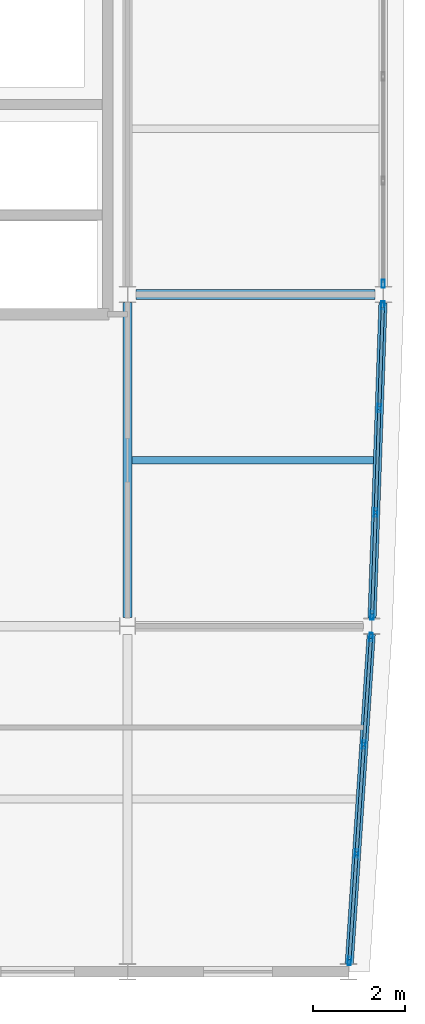
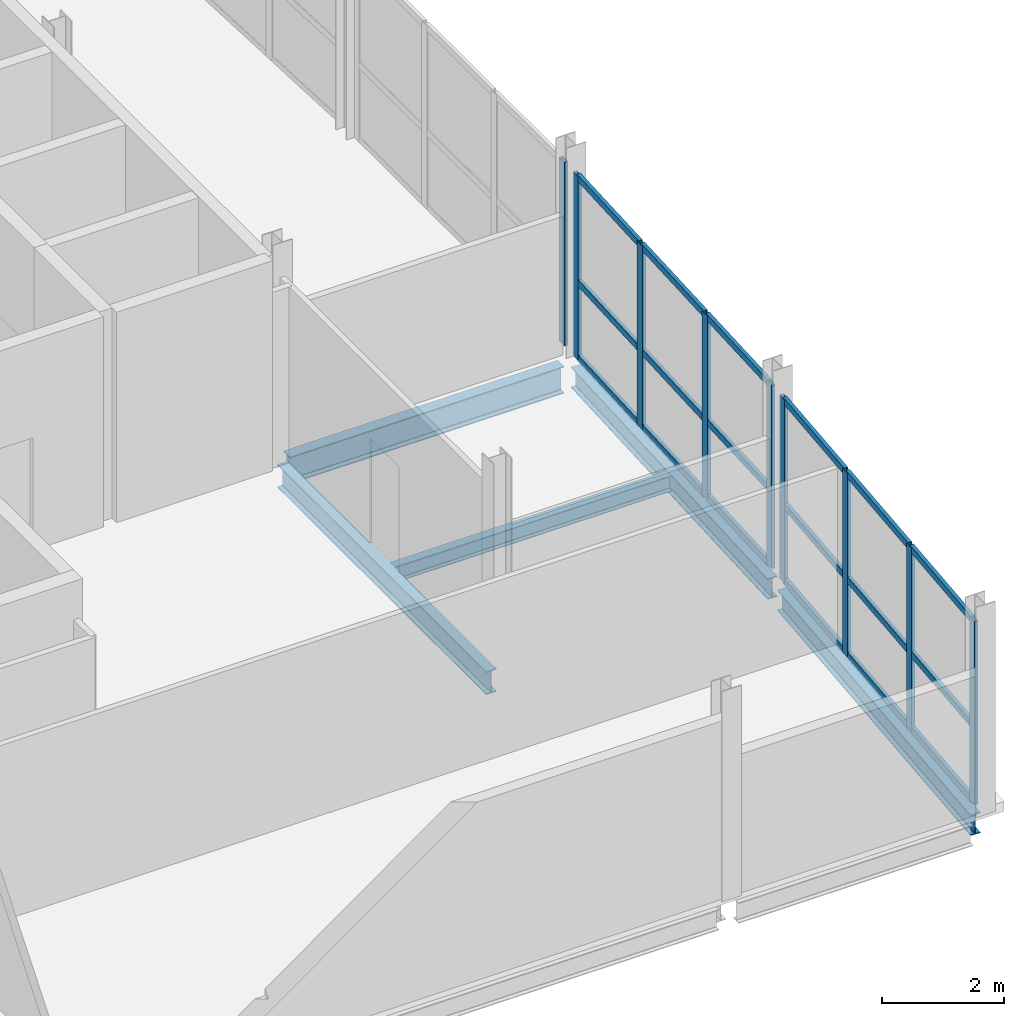
# One storey, part 2 of 17: 27 members, 5 beams, 3 elements without a shape of their own.
"""IFC4 building model written with IfcOpenShell, lengths in metres."""

from ifc_helpers import new_model, si_unit, direction, frame, origin, origin_2d, place, context, subcontext, project, spatial, hollow_rectangle, i_section, extrude, material, layer, layer_set, material_profile, profile_set, type_object, element, aggregate, save


model = new_model("IFC4")

# Units and contexts
model_context = context("Model", 3, precision=1e-05, world=origin(), true_north=direction((0.0, 1.0)))
body_context = subcontext(model_context, "Body", "Model", "MODEL_VIEW")
ifc_project = project(units=[si_unit("LENGTHUNIT", "METRE"), si_unit("AREAUNIT", "SQUARE_METRE"), si_unit("VOLUMEUNIT", "CUBIC_METRE"), si_unit("PLANEANGLEUNIT", "RADIAN"), si_unit("MASSUNIT", "GRAM", prefix="KILO")], contexts=[model_context])

# Site, building, storey
site_placement = place(None, origin())
site = spatial("IfcSite", under=ifc_project, at=site_placement, CompositionType="ELEMENT")
building_placement = place(site_placement, origin())
building = spatial("IfcBuilding", under=site, at=building_placement, Name="Quillay Park Conservatory", CompositionType="ELEMENT")
storey_placement = place(building_placement, frame((0.0, 0.0, 56.10009765625)))
storey = spatial("IfcBuildingStorey", under=building, at=storey_placement, Name="L13", CompositionType="ELEMENT", Elevation=56.10009765625)

# Beam
ifc_material_1 = material(Name="Steel ASTM A992 Grade 50", Category="steel")
ifc_material_profile_1 = material_profile(ifc_material_1, i_section(OverallWidth=0.166015625, OverallDepth=0.31298828125, WebThickness=0.006591796875, FlangeThickness=0.01123046875, FilletRadius=0.010009765625, at=origin_2d()), Name="W310x45")
ifc_profile_set_1 = profile_set([ifc_material_profile_1], Name="Steel ASTM A992 Grade 50")
beam_type_1 = type_object("IfcBeamType", Name="COMPOSITE FLOOR JOIST W310 X45", PredefinedType="JOIST", material=ifc_profile_set_1)
beam_1_placement = place(storey_placement, frame((19.845947265625, 81.60009765625, -0.356689453125), z_axis=(1.0, 0.0, 0.0), x_axis=(0.0, 1.0, 0.0)))
element("IfcBeam", 1, at=beam_1_placement, inside=storey, type_object=beam_type_1, Name="L13 beam BM-J-0915", PredefinedType="JOIST", context=body_context, shape_type="SweptSolid", body=[
    extrude(i_section(OverallWidth=0.166015625, OverallDepth=0.31298828125, WebThickness=0.006591796875, FlangeThickness=0.01123046875, FilletRadius=0.010009765625, at=origin_2d()), origin(), (0.0, 0.0, 1.0), 5.239013671875),
])

# Curtain wall, members
ifc_material_2 = material(Name="Thermally Broken Anodised Aluminium 6063-T6", Category="aluminium")
ifc_layer = layer(ifc_material_2, 0.179931640625)
ifc_layer_set = layer_set([ifc_layer], Name="UNITISED CURTAIN WALL TOWER (Thermally Broken Anodised Aluminium 6063-T6)")
curtain_wall_type = type_object("IfcCurtainWallType", Name="UNITISED CURTAIN WALL TOWER", PredefinedType="USERDEFINED", material=ifc_layer_set)
curtain_wall_1_placement = place(storey_placement, origin())
curtain_wall_1 = element("IfcCurtainWall", 2, at=curtain_wall_1_placement, inside=storey, type_object=curtain_wall_type, Name="L13 Unitised Curtain Wall 122", ObjectType="UNITISED CURTAIN WALL", PredefinedType="USERDEFINED")
ifc_material_3 = material(Name="Thermally Broken Anodised Aluminium 6063-T6", Category="aluminium")
ifc_material_profile_2 = material_profile(ifc_material_3, hollow_rectangle(XDim=0.070068359375, YDim=0.179931640625, WallThickness=0.00390625, at=origin_2d()), Name="AL70x180x4")
ifc_profile_set_2 = profile_set([ifc_material_profile_2], Name="Thermally Broken Anodised Aluminium 6063-T6")
member_type_1 = type_object("IfcMemberType", Name="CURTAIN WALL MULLION 70 X180", PredefinedType="MULLION", material=ifc_profile_set_2)
member_1_placement = place(storey_placement, frame((25.034423828125, 77.765380859375, 0.0), z_axis=(0.0, 0.0, 1.0), x_axis=(0.997785033503, -0.0665208758, 0.0)))
member_1 = element("IfcMember", 3, at=member_1_placement, type_object=member_type_1, Name="CW-T1 mullion 1", PredefinedType="MULLION", context=body_context, shape_type="SweptSolid", body=[
    extrude(hollow_rectangle(XDim=0.070068359375, YDim=0.179931640625, WallThickness=0.00390625, at=origin_2d()), origin(), (0.0, 0.0, 1.0), 3.6669921875),
])
member_2_placement = place(storey_placement, frame((24.87890625, 75.433349609375, 0.0), z_axis=(0.0, 0.0, 1.0), x_axis=(0.997785033503, -0.0665208758, 0.0)))
member_2 = element("IfcMember", 4, at=member_2_placement, type_object=member_type_1, Name="CW-T1 mullion 2", PredefinedType="MULLION", context=body_context, shape_type="SweptSolid", body=[
    extrude(hollow_rectangle(XDim=0.070068359375, YDim=0.179931640625, WallThickness=0.00390625, at=origin_2d()), origin(), (0.0, 0.0, 1.0), 3.6669921875),
])
member_3_placement = place(storey_placement, frame((24.72119140625, 73.066650390625, 0.0), z_axis=(0.0, 0.0, 1.0), x_axis=(0.997785033503, -0.0665208758, 0.0)))
member_3 = element("IfcMember", 5, at=member_3_placement, type_object=member_type_1, Name="CW-T1 mullion 3", PredefinedType="MULLION", context=body_context, shape_type="SweptSolid", body=[
    extrude(hollow_rectangle(XDim=0.070068359375, YDim=0.179931640625, WallThickness=0.00390625, at=origin_2d()), origin(), (0.0, 0.0, 1.0), 3.6669921875),
])
member_4_placement = place(storey_placement, frame((24.565673828125, 70.734619140625, 0.0), z_axis=(0.0, 0.0, 1.0), x_axis=(0.997785033503, -0.0665208758, 0.0)))
member_4 = element("IfcMember", 6, at=member_4_placement, type_object=member_type_1, Name="CW-T1 mullion 4", PredefinedType="MULLION", context=body_context, shape_type="SweptSolid", body=[
    extrude(hollow_rectangle(XDim=0.070068359375, YDim=0.179931640625, WallThickness=0.00390625, at=origin_2d()), origin(), (0.0, 0.0, 1.0), 3.6669921875),
])

curtain_wall_2_placement = place(storey_placement, origin())
curtain_wall_2 = element("IfcCurtainWall", 7, at=curtain_wall_2_placement, inside=storey, type_object=curtain_wall_type, Name="L13 Unitised Curtain Wall 123", ObjectType="UNITISED CURTAIN WALL", PredefinedType="USERDEFINED")
member_5_placement = place(storey_placement, frame((25.2919921875, 84.965087890625, 0.0), z_axis=(0.0, 0.0, 1.0), x_axis=(0.999397310446, -0.034713338537, 0.0)))
member_5 = element("IfcMember", 8, at=member_5_placement, type_object=member_type_1, Name="CW-T1 mullion 1", PredefinedType="MULLION", context=body_context, shape_type="SweptSolid", body=[
    extrude(hollow_rectangle(XDim=0.070068359375, YDim=0.179931640625, WallThickness=0.00390625, at=origin_2d()), origin(), (0.0, 0.0, 1.0), 3.6669921875),
])
member_6_placement = place(storey_placement, frame((25.21435546875, 82.7333984375, 0.0), z_axis=(0.0, 0.0, 1.0), x_axis=(0.999397310446, -0.034713338537, 0.0)))
member_6 = element("IfcMember", 9, at=member_6_placement, type_object=member_type_1, Name="CW-T1 mullion 2", PredefinedType="MULLION", context=body_context, shape_type="SweptSolid", body=[
    extrude(hollow_rectangle(XDim=0.070068359375, YDim=0.179931640625, WallThickness=0.00390625, at=origin_2d()), origin(), (0.0, 0.0, 1.0), 3.6669921875),
])
member_7_placement = place(storey_placement, frame((25.1357421875, 80.466552734375, 0.0), z_axis=(0.0, 0.0, 1.0), x_axis=(0.999397310446, -0.034713338537, 0.0)))
member_7 = element("IfcMember", 10, at=member_7_placement, type_object=member_type_1, Name="CW-T1 mullion 3", PredefinedType="MULLION", context=body_context, shape_type="SweptSolid", body=[
    extrude(hollow_rectangle(XDim=0.070068359375, YDim=0.179931640625, WallThickness=0.00390625, at=origin_2d()), origin(), (0.0, 0.0, 1.0), 3.6669921875),
])
member_8_placement = place(storey_placement, frame((25.05810546875, 78.23486328125, 0.0), z_axis=(0.0, 0.0, 1.0), x_axis=(0.999397310446, -0.034713338537, 0.0)))
member_8 = element("IfcMember", 11, at=member_8_placement, type_object=member_type_1, Name="CW-T1 mullion 4", PredefinedType="MULLION", context=body_context, shape_type="SweptSolid", body=[
    extrude(hollow_rectangle(XDim=0.070068359375, YDim=0.179931640625, WallThickness=0.00390625, at=origin_2d()), origin(), (0.0, 0.0, 1.0), 3.6669921875),
])

# Curtain wall, member
curtain_wall_3_placement = place(storey_placement, origin())
curtain_wall_3 = element("IfcCurtainWall", 12, at=curtain_wall_3_placement, inside=storey, type_object=curtain_wall_type, Name="L13 Unitised Curtain Wall 124", ObjectType="UNITISED CURTAIN WALL", PredefinedType="USERDEFINED")
member_9_placement = place(storey_placement, frame((25.300048828125, 85.43505859375, 0.0), z_axis=(0.0, 0.0, 1.0), x_axis=(1.0, 0.0, 0.0)))
member_9 = element("IfcMember", 13, at=member_9_placement, type_object=member_type_1, Name="CW-T1 mullion 4", PredefinedType="MULLION", context=body_context, shape_type="SweptSolid", body=[
    extrude(hollow_rectangle(XDim=0.070068359375, YDim=0.179931640625, WallThickness=0.00390625, at=origin_2d()), origin(), (0.0, 0.0, 1.0), 3.6669921875),
])
aggregate(curtain_wall_3, [member_9])

# Member
ifc_material_4 = material(Name="Thermally Broken Anodised Aluminium 6063-T6", Category="aluminium")
ifc_material_profile_3 = material_profile(ifc_material_4, hollow_rectangle(XDim=0.070068359375, YDim=0.1298828125, WallThickness=0.003173828125, at=origin_2d()), Name="AL70x130x3.2")
ifc_profile_set_3 = profile_set([ifc_material_profile_3], Name="Thermally Broken Anodised Aluminium 6063-T6")
member_type_2 = type_object("IfcMemberType", Name="CURTAIN WALL TRANSOM 70 X130", PredefinedType="USERDEFINED", material=ifc_profile_set_3)
member_10_placement = place(storey_placement, frame((25.031982421875, 77.73046875, 0.034912109375), z_axis=(-0.066447531676, -0.997789920542, 0.0), x_axis=(0.997789920542, -0.066447531676, 0.0)))
member_10 = element("IfcMember", 14, at=member_10_placement, type_object=member_type_2, Name="CW-T1 transom 1.1", ObjectType="TRANSOM", PredefinedType="USERDEFINED", context=body_context, shape_type="SweptSolid", body=[
    extrude(hollow_rectangle(XDim=0.070068359375, YDim=0.1298828125, WallThickness=0.003173828125, at=origin_2d()), origin(), (0.0, 0.0, 1.0), 2.26708984375),
])

member_11_placement = place(storey_placement, frame((25.031982421875, 77.73046875, 1.5400390625), z_axis=(-0.066447531676, -0.997789920542, 0.0), x_axis=(0.997789920542, -0.066447531676, 0.0)))
member_11 = element("IfcMember", 15, at=member_11_placement, type_object=member_type_2, Name="CW-T1 transom 1.2", ObjectType="TRANSOM", PredefinedType="USERDEFINED", context=body_context, shape_type="SweptSolid", body=[
    extrude(hollow_rectangle(XDim=0.070068359375, YDim=0.1298828125, WallThickness=0.003173828125, at=origin_2d()), origin(), (0.0, 0.0, 1.0), 2.26708984375),
])

member_12_placement = place(storey_placement, frame((25.031982421875, 77.73046875, 3.6318359375), z_axis=(-0.066447531676, -0.997789920542, 0.0), x_axis=(0.997789920542, -0.066447531676, 0.0)))
member_12 = element("IfcMember", 16, at=member_12_placement, type_object=member_type_2, Name="CW-T1 transom 1.3", ObjectType="TRANSOM", PredefinedType="USERDEFINED", context=body_context, shape_type="SweptSolid", body=[
    extrude(hollow_rectangle(XDim=0.070068359375, YDim=0.1298828125, WallThickness=0.003173828125, at=origin_2d()), origin(), (0.0, 0.0, 1.0), 2.26708984375),
])

member_13_placement = place(storey_placement, frame((24.87646484375, 75.3984375, 0.034912109375), z_axis=(-0.066497892916, -0.997786565473, 0.0), x_axis=(0.997786565473, -0.066497892916, 0.0)))
member_13 = element("IfcMember", 17, at=member_13_placement, type_object=member_type_2, Name="CW-T1 transom 2.1", ObjectType="TRANSOM", PredefinedType="USERDEFINED", context=body_context, shape_type="SweptSolid", body=[
    extrude(hollow_rectangle(XDim=0.070068359375, YDim=0.1298828125, WallThickness=0.003173828125, at=origin_2d()), origin(), (0.0, 0.0, 1.0), 2.302001953125),
])

member_14_placement = place(storey_placement, frame((24.87646484375, 75.3984375, 1.5400390625), z_axis=(-0.066497892916, -0.997786565473, 0.0), x_axis=(0.997786565473, -0.066497892916, 0.0)))
member_14 = element("IfcMember", 18, at=member_14_placement, type_object=member_type_2, Name="CW-T1 transom 2.2", ObjectType="TRANSOM", PredefinedType="USERDEFINED", context=body_context, shape_type="SweptSolid", body=[
    extrude(hollow_rectangle(XDim=0.070068359375, YDim=0.1298828125, WallThickness=0.003173828125, at=origin_2d()), origin(), (0.0, 0.0, 1.0), 2.302001953125),
])

member_15_placement = place(storey_placement, frame((24.87646484375, 75.3984375, 3.6318359375), z_axis=(-0.066497892916, -0.997786565473, 0.0), x_axis=(0.997786565473, -0.066497892916, 0.0)))
member_15 = element("IfcMember", 19, at=member_15_placement, type_object=member_type_2, Name="CW-T1 transom 2.3", ObjectType="TRANSOM", PredefinedType="USERDEFINED", context=body_context, shape_type="SweptSolid", body=[
    extrude(hollow_rectangle(XDim=0.070068359375, YDim=0.1298828125, WallThickness=0.003173828125, at=origin_2d()), origin(), (0.0, 0.0, 1.0), 2.302001953125),
])

member_16_placement = place(storey_placement, frame((24.71875, 73.031494140625, 0.034912109375), z_axis=(-0.066554749564, -0.997782774611, 0.0), x_axis=(0.997782774611, -0.066554749564, 0.0)))
member_16 = element("IfcMember", 20, at=member_16_placement, type_object=member_type_2, Name="CW-T1 transom 3.1", ObjectType="TRANSOM", PredefinedType="USERDEFINED", context=body_context, shape_type="SweptSolid", body=[
    extrude(hollow_rectangle(XDim=0.070068359375, YDim=0.1298828125, WallThickness=0.003173828125, at=origin_2d()), origin(), (0.0, 0.0, 1.0), 2.26708984375),
])

member_17_placement = place(storey_placement, frame((24.71875, 73.031494140625, 1.5400390625), z_axis=(-0.066554749564, -0.997782774611, 0.0), x_axis=(0.997782774611, -0.066554749564, 0.0)))
member_17 = element("IfcMember", 21, at=member_17_placement, type_object=member_type_2, Name="CW-T1 transom 3.2", ObjectType="TRANSOM", PredefinedType="USERDEFINED", context=body_context, shape_type="SweptSolid", body=[
    extrude(hollow_rectangle(XDim=0.070068359375, YDim=0.1298828125, WallThickness=0.003173828125, at=origin_2d()), origin(), (0.0, 0.0, 1.0), 2.26708984375),
])

member_18_placement = place(storey_placement, frame((24.71875, 73.031494140625, 3.6318359375), z_axis=(-0.066554749564, -0.997782774611, 0.0), x_axis=(0.997782774611, -0.066554749564, 0.0)))
member_18 = element("IfcMember", 22, at=member_18_placement, type_object=member_type_2, Name="CW-T1 transom 3.3", ObjectType="TRANSOM", PredefinedType="USERDEFINED", context=body_context, shape_type="SweptSolid", body=[
    extrude(hollow_rectangle(XDim=0.070068359375, YDim=0.1298828125, WallThickness=0.003173828125, at=origin_2d()), origin(), (0.0, 0.0, 1.0), 2.26708984375),
])

aggregate(curtain_wall_1, [member_1, member_2, member_3, member_4, member_10, member_11, member_12, member_13, member_14, member_15, member_16, member_17, member_18])

member_19_placement = place(storey_placement, frame((25.290771484375, 84.93017578125, 0.034912109375), z_axis=(-0.034761587249, -0.999395633396, 0.0), x_axis=(0.999395633396, -0.034761587249, 0.0)))
member_19 = element("IfcMember", 23, at=member_19_placement, type_object=member_type_2, Name="CW-T1 transom 1.1", ObjectType="TRANSOM", PredefinedType="USERDEFINED", context=body_context, shape_type="SweptSolid", body=[
    extrude(hollow_rectangle(XDim=0.070068359375, YDim=0.1298828125, WallThickness=0.003173828125, at=origin_2d()), origin(), (0.0, 0.0, 1.0), 2.1630859375),
])

member_20_placement = place(storey_placement, frame((25.290771484375, 84.93017578125, 1.5400390625), z_axis=(-0.034761587249, -0.999395633396, 0.0), x_axis=(0.999395633396, -0.034761587249, 0.0)))
member_20 = element("IfcMember", 24, at=member_20_placement, type_object=member_type_2, Name="CW-T1 transom 1.2", ObjectType="TRANSOM", PredefinedType="USERDEFINED", context=body_context, shape_type="SweptSolid", body=[
    extrude(hollow_rectangle(XDim=0.070068359375, YDim=0.1298828125, WallThickness=0.003173828125, at=origin_2d()), origin(), (0.0, 0.0, 1.0), 2.1630859375),
])

member_21_placement = place(storey_placement, frame((25.290771484375, 84.93017578125, 3.6318359375), z_axis=(-0.034761587249, -0.999395633396, 0.0), x_axis=(0.999395633396, -0.034761587249, 0.0)))
member_21 = element("IfcMember", 25, at=member_21_placement, type_object=member_type_2, Name="CW-T1 transom 1.3", ObjectType="TRANSOM", PredefinedType="USERDEFINED", context=body_context, shape_type="SweptSolid", body=[
    extrude(hollow_rectangle(XDim=0.070068359375, YDim=0.1298828125, WallThickness=0.003173828125, at=origin_2d()), origin(), (0.0, 0.0, 1.0), 2.1630859375),
])

member_22_placement = place(storey_placement, frame((25.213134765625, 82.698486328125, 0.034912109375), z_axis=(-0.034653546152, -0.999399385501, 0.0), x_axis=(0.999399385501, -0.034653546152, 0.0)))
member_22 = element("IfcMember", 26, at=member_22_placement, type_object=member_type_2, Name="CW-T1 transom 2.1", ObjectType="TRANSOM", PredefinedType="USERDEFINED", context=body_context, shape_type="SweptSolid", body=[
    extrude(hollow_rectangle(XDim=0.070068359375, YDim=0.1298828125, WallThickness=0.003173828125, at=origin_2d()), origin(), (0.0, 0.0, 1.0), 2.197998046875),
])

member_23_placement = place(storey_placement, frame((25.213134765625, 82.698486328125, 1.5400390625), z_axis=(-0.034653546152, -0.999399385501, 0.0), x_axis=(0.999399385501, -0.034653546152, 0.0)))
member_23 = element("IfcMember", 27, at=member_23_placement, type_object=member_type_2, Name="CW-T1 transom 2.2", ObjectType="TRANSOM", PredefinedType="USERDEFINED", context=body_context, shape_type="SweptSolid", body=[
    extrude(hollow_rectangle(XDim=0.070068359375, YDim=0.1298828125, WallThickness=0.003173828125, at=origin_2d()), origin(), (0.0, 0.0, 1.0), 2.197998046875),
])

member_24_placement = place(storey_placement, frame((25.213134765625, 82.698486328125, 3.6318359375), z_axis=(-0.034653546152, -0.999399385501, 0.0), x_axis=(0.999399385501, -0.034653546152, 0.0)))
member_24 = element("IfcMember", 28, at=member_24_placement, type_object=member_type_2, Name="CW-T1 transom 2.3", ObjectType="TRANSOM", PredefinedType="USERDEFINED", context=body_context, shape_type="SweptSolid", body=[
    extrude(hollow_rectangle(XDim=0.070068359375, YDim=0.1298828125, WallThickness=0.003173828125, at=origin_2d()), origin(), (0.0, 0.0, 1.0), 2.197998046875),
])

member_25_placement = place(storey_placement, frame((25.134521484375, 80.431640625, 0.034912109375), z_axis=(-0.034761587249, -0.999395633396, 0.0), x_axis=(0.999395633396, -0.034761587249, 0.0)))
member_25 = element("IfcMember", 29, at=member_25_placement, type_object=member_type_2, Name="CW-T1 transom 3.1", ObjectType="TRANSOM", PredefinedType="USERDEFINED", context=body_context, shape_type="SweptSolid", body=[
    extrude(hollow_rectangle(XDim=0.070068359375, YDim=0.1298828125, WallThickness=0.003173828125, at=origin_2d()), origin(), (0.0, 0.0, 1.0), 2.1630859375),
])

member_26_placement = place(storey_placement, frame((25.134521484375, 80.431640625, 1.5400390625), z_axis=(-0.034761587249, -0.999395633396, 0.0), x_axis=(0.999395633396, -0.034761587249, 0.0)))
member_26 = element("IfcMember", 30, at=member_26_placement, type_object=member_type_2, Name="CW-T1 transom 3.2", ObjectType="TRANSOM", PredefinedType="USERDEFINED", context=body_context, shape_type="SweptSolid", body=[
    extrude(hollow_rectangle(XDim=0.070068359375, YDim=0.1298828125, WallThickness=0.003173828125, at=origin_2d()), origin(), (0.0, 0.0, 1.0), 2.1630859375),
])

member_27_placement = place(storey_placement, frame((25.134521484375, 80.431640625, 3.6318359375), z_axis=(-0.034761587249, -0.999395633396, 0.0), x_axis=(0.999395633396, -0.034761587249, 0.0)))
member_27 = element("IfcMember", 31, at=member_27_placement, type_object=member_type_2, Name="CW-T1 transom 3.3", ObjectType="TRANSOM", PredefinedType="USERDEFINED", context=body_context, shape_type="SweptSolid", body=[
    extrude(hollow_rectangle(XDim=0.070068359375, YDim=0.1298828125, WallThickness=0.003173828125, at=origin_2d()), origin(), (0.0, 0.0, 1.0), 2.1630859375),
])

aggregate(curtain_wall_2, [member_5, member_6, member_7, member_8, member_19, member_20, member_21, member_22, member_23, member_24, member_25, member_26, member_27])

# Beams
ifc_material_5 = material(Name="Steel ASTM A992 Grade 50", Category="steel")
ifc_material_profile_4 = material_profile(ifc_material_5, i_section(OverallWidth=0.179931640625, OverallDepth=0.4130859375, WebThickness=0.009765625, FlangeThickness=0.01611328125, FilletRadius=0.011962890625, at=origin_2d()), Name="W410x74")
ifc_profile_set_4 = profile_set([ifc_material_profile_4], Name="Steel ASTM A992 Grade 50")
beam_type_2 = type_object("IfcBeamType", Name="PERIMETER SPANDREL BEAM W410 X74", PredefinedType="SPANDREL", material=ifc_profile_set_4)
beam_2_placement = place(storey_placement, frame((24.561767578125, 70.677490234375, -0.406494140625), z_axis=(0.066516747669, 0.997785308711, 0.0), x_axis=(-0.997785308711, 0.066516747669, 0.0)))
element("IfcBeam", 32, at=beam_2_placement, inside=storey, type_object=beam_type_2, Name="L13 beam BM-SPE-0904", PredefinedType="SPANDREL", context=body_context, shape_type="SweptSolid", body=[
    extrude(i_section(OverallWidth=0.179931640625, OverallDepth=0.4130859375, WebThickness=0.009765625, FlangeThickness=0.01611328125, FilletRadius=0.011962890625, at=origin_2d()), origin(), (0.0, 0.0, 1.0), 7.160888671875),
])
beam_3_placement = place(storey_placement, frame((25.05615234375, 78.177978515625, -0.406494140625), z_axis=(0.034686968465, 0.999398226043, 0.0), x_axis=(-0.999398226043, 0.034686968465, 0.0)))
element("IfcBeam", 33, at=beam_3_placement, inside=storey, type_object=beam_type_2, Name="L13 beam BM-SPE-0911", PredefinedType="SPANDREL", context=body_context, shape_type="SweptSolid", body=[
    extrude(i_section(OverallWidth=0.179931640625, OverallDepth=0.4130859375, WebThickness=0.009765625, FlangeThickness=0.01611328125, FilletRadius=0.011962890625, at=origin_2d()), origin(), (0.0, 0.0, 1.0), 6.848388671875),
])
ifc_material_6 = material(Name="Steel ASTM A992 Grade 50", Category="steel")
ifc_material_profile_5 = material_profile(ifc_material_6, i_section(OverallWidth=0.19189453125, OverallDepth=0.462890625, WebThickness=0.010498046875, FlangeThickness=0.017578125, FilletRadius=0.012939453125, at=origin_2d()), Name="W460x89")
ifc_profile_set_5 = profile_set([ifc_material_profile_5], Name="Steel ASTM A992 Grade 50")
beam_type_3 = type_object("IfcBeamType", Name="PRIMARY FLOOR GIRDER W460 X89", PredefinedType="BEAM", material=ifc_profile_set_5)
beam_4_placement = place(storey_placement, frame((19.75, 78.1845703125, -0.431640625), z_axis=(0.0, 1.0, 0.0), x_axis=(-1.0, 0.0, 0.0)))
element("IfcBeam", 34, at=beam_4_placement, inside=storey, type_object=beam_type_3, Name="L13 beam BM-GNS-0913", PredefinedType="BEAM", context=body_context, shape_type="SweptSolid", body=[
    extrude(i_section(OverallWidth=0.19189453125, OverallDepth=0.462890625, WebThickness=0.010498046875, FlangeThickness=0.017578125, FilletRadius=0.012939453125, at=origin_2d()), origin(), (0.0, 0.0, 1.0), 6.83740234375),
])
ifc_material_7 = material(Name="Steel ASTM A992 Grade 50", Category="steel")
ifc_material_profile_6 = material_profile(ifc_material_7, i_section(OverallWidth=0.2109375, OverallDepth=0.5390625, WebThickness=0.01171875, FlangeThickness=0.018798828125, FilletRadius=0.013916015625, at=origin_2d()), Name="W530x109")
ifc_profile_set_6 = profile_set([ifc_material_profile_6], Name="Steel ASTM A992 Grade 50")
beam_type_4 = type_object("IfcBeamType", Name="PRIMARY FLOOR GIRDER W530 X109", PredefinedType="BEAM", material=ifc_profile_set_6)
beam_5_placement = place(storey_placement, frame((19.9345703125, 85.199951171875, -0.469482421875), z_axis=(1.0, 0.0, 0.0), x_axis=(0.0, 1.0, 0.0)))
element("IfcBeam", 35, at=beam_5_placement, inside=storey, type_object=beam_type_4, Name="L13 beam BM-G-0891", PredefinedType="BEAM", context=body_context, shape_type="SweptSolid", body=[
    extrude(i_section(OverallWidth=0.2109375, OverallDepth=0.5390625, WebThickness=0.01171875, FlangeThickness=0.018798828125, FilletRadius=0.013916015625, at=origin_2d()), origin(), (0.0, 0.0, 1.0), 5.180908203125),
])

save(model, "model.ifc")
